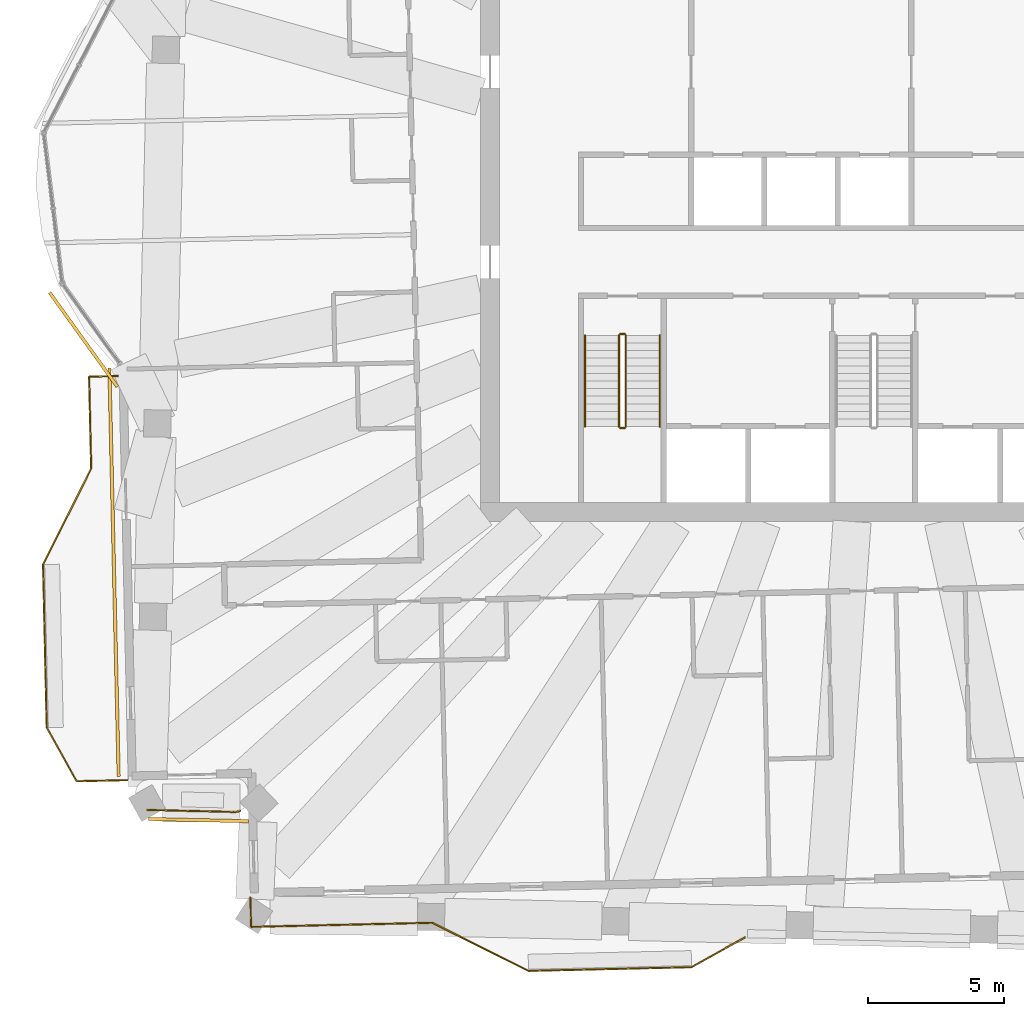
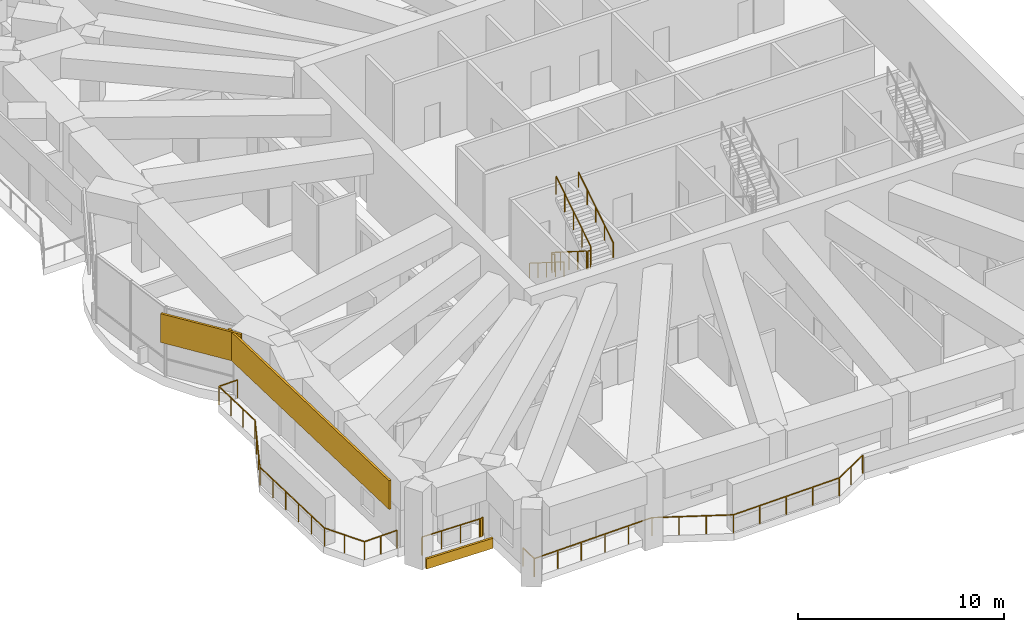
# One storey, part 18 of 21: 9 railings, 3 coverings.
"""IFC4 building model written with IfcOpenShell, lengths in metres."""

from ifc_helpers import new_model, si_unit, direction, frame, frame_2d, origin, origin_2d, place, context, subcontext, project, spatial, rectangle, circle, extrude, material, layer, layer_set, type_object, element, save


model = new_model("IFC4")

# Units and contexts
model_context = context("Model", 3, precision=1e-05, world=origin(), true_north=direction((0.0, 1.0)))
body_context = subcontext(model_context, "Body", "Model", "MODEL_VIEW")
ifc_project = project(units=[si_unit("LENGTHUNIT", "METRE"), si_unit("AREAUNIT", "SQUARE_METRE"), si_unit("VOLUMEUNIT", "CUBIC_METRE"), si_unit("PLANEANGLEUNIT", "RADIAN"), si_unit("MASSUNIT", "GRAM", prefix="KILO")], contexts=[model_context])

# Site, building, storey
site_placement = place(None, origin())
site = spatial("IfcSite", under=ifc_project, at=site_placement, CompositionType="ELEMENT")
building_placement = place(site_placement, origin())
building = spatial("IfcBuilding", under=site, at=building_placement, Name="Mangrove Gate Tower", CompositionType="ELEMENT")
storey_placement = place(building_placement, frame((0.0, 0.0, 275.300048828125)))
storey = spatial("IfcBuildingStorey", under=building, at=storey_placement, Name="L70", CompositionType="ELEMENT", Elevation=275.300048828125)

# Railings
ifc_material_1 = material(Name="Stainless steel grade 316 with laminated glass infill", Category="steel")
railing_type_1 = type_object("IfcRailingType", Name="Balcony guard 1100", PredefinedType="GUARDRAIL", material=ifc_material_1)
railing_1_placement = place(storey_placement, frame((-27.839111328125, -6.14501953125, 0.0)))
element("IfcRailing", 1, at=railing_1_placement, inside=storey, type_object=railing_type_1, Name="GUARD L70 W2", PredefinedType="GUARDRAIL", context=body_context, shape_type="SweptSolid", body=[
    extrude(rectangle(XDim=0.048095703125, YDim=0.048095703125, at=origin_2d()), frame((0.0, 0.0, 1.076171875), z_axis=(-0.999744802133, -0.022590498181, 0.0), x_axis=(0.022590498181, -0.999744802133, 0.0)), (0.0, 0.0, 1.0), 1.05908203125),
    extrude(rectangle(XDim=0.048095703125, YDim=0.048095703125, at=origin_2d()), frame((-1.058837890625, -0.02392578125, 1.076171875), z_axis=(0.022497922048, -0.999746889719, 0.0), x_axis=(0.999746889719, 0.022497922048, 0.0)), (0.0, 0.0, 1.0), 3.374755859375),
    extrude(rectangle(XDim=0.048095703125, YDim=0.048095703125, at=origin_2d()), frame((-0.98291015625, -3.39794921875, 1.076171875), z_axis=(-0.447114919141, -0.894476522376, 0.0), x_axis=(0.894476522376, -0.447114919141, 0.0)), (0.0, 0.0, 1.0), 3.958740234375),
    extrude(rectangle(XDim=0.048095703125, YDim=0.048095703125, at=origin_2d()), frame((-2.7529296875, -6.93896484375, 1.076171875), z_axis=(0.022662255828, -0.999743178102, 0.0), x_axis=(0.999743178102, 0.022662255828, 0.0)), (0.0, 0.0, 1.0), 6.00048828125),
    extrude(rectangle(XDim=0.048095703125, YDim=0.048095703125, at=origin_2d()), frame((-2.616943359375, -12.93798828125, 1.076171875), z_axis=(0.487255140858, -0.873259656521, 0.0), x_axis=(0.873259656521, 0.487255140858, 0.0)), (0.0, 0.0, 1.0), 2.26171875),
    extrude(rectangle(XDim=0.048095703125, YDim=0.048095703125, at=origin_2d()), frame((-1.514892578125, -14.9130859375, 1.076171875), z_axis=(0.999743329406, 0.02265558006, 0.0), x_axis=(-0.02265558006, 0.999743329406, 0.0)), (0.0, 0.0, 1.0), 1.853515625),
    extrude(rectangle(XDim=0.0419921875, YDim=0.0419921875, at=origin_2d()), origin(), (0.0, 0.0, 1.0), 1.052001953125),
    extrude(rectangle(XDim=0.0419921875, YDim=0.0419921875, at=origin_2d()), frame((-1.058837890625, -0.02392578125, 0.0)), (0.0, 0.0, 1.0), 1.052001953125),
    extrude(rectangle(XDim=0.0419921875, YDim=0.0419921875, at=origin_2d()), frame((-1.033447265625, -1.148681640625, 0.0)), (0.0, 0.0, 1.0), 1.052001953125),
    extrude(rectangle(XDim=0.0419921875, YDim=0.0419921875, at=origin_2d()), frame((-1.00830078125, -2.273193359375, 0.0)), (0.0, 0.0, 1.0), 1.052001953125),
    extrude(rectangle(XDim=0.0419921875, YDim=0.0419921875, at=origin_2d()), frame((-0.98291015625, -3.39794921875, 0.0)), (0.0, 0.0, 1.0), 1.052001953125),
    extrude(rectangle(XDim=0.0419921875, YDim=0.0419921875, at=origin_2d()), frame((-1.572998046875, -4.578369140625, 0.0)), (0.0, 0.0, 1.0), 1.052001953125),
    extrude(rectangle(XDim=0.0419921875, YDim=0.0419921875, at=origin_2d()), frame((-2.162841796875, -5.758544921875, 0.0)), (0.0, 0.0, 1.0), 1.052001953125),
    extrude(rectangle(XDim=0.0419921875, YDim=0.0419921875, at=origin_2d()), frame((-2.7529296875, -6.93896484375, 0.0)), (0.0, 0.0, 1.0), 1.052001953125),
    extrude(rectangle(XDim=0.0419921875, YDim=0.0419921875, at=origin_2d()), frame((-2.725830078125, -8.138671875, 0.0)), (0.0, 0.0, 1.0), 1.052001953125),
    extrude(rectangle(XDim=0.0419921875, YDim=0.0419921875, at=origin_2d()), frame((-2.698486328125, -9.338623046875, 0.0)), (0.0, 0.0, 1.0), 1.052001953125),
    extrude(rectangle(XDim=0.0419921875, YDim=0.0419921875, at=origin_2d()), frame((-2.67138671875, -10.538330078125, 0.0)), (0.0, 0.0, 1.0), 1.052001953125),
    extrude(rectangle(XDim=0.0419921875, YDim=0.0419921875, at=origin_2d()), frame((-2.64404296875, -11.73828125, 0.0)), (0.0, 0.0, 1.0), 1.052001953125),
    extrude(rectangle(XDim=0.0419921875, YDim=0.0419921875, at=origin_2d()), frame((-2.616943359375, -12.93798828125, 0.0)), (0.0, 0.0, 1.0), 1.052001953125),
    extrude(rectangle(XDim=0.0419921875, YDim=0.0419921875, at=origin_2d()), frame((-2.06591796875, -13.925537109375, 0.0)), (0.0, 0.0, 1.0), 1.052001953125),
    extrude(rectangle(XDim=0.0419921875, YDim=0.0419921875, at=origin_2d()), frame((-1.514892578125, -14.9130859375, 0.0)), (0.0, 0.0, 1.0), 1.052001953125),
    extrude(rectangle(XDim=0.0419921875, YDim=0.0419921875, at=origin_2d()), frame((-0.58837890625, -14.89208984375, 0.0)), (0.0, 0.0, 1.0), 1.052001953125),
    extrude(rectangle(XDim=0.0419921875, YDim=0.0419921875, at=origin_2d()), frame((0.338134765625, -14.87109375, 0.0)), (0.0, 0.0, 1.0), 1.052001953125),
])
railing_2_placement = place(storey_placement, frame((-22.9619140625, -25.35400390625, 0.0)))
element("IfcRailing", 2, at=railing_2_placement, inside=storey, type_object=railing_type_1, Name="GUARD L70 S1", PredefinedType="GUARDRAIL", context=body_context, shape_type="SweptSolid", body=[
    extrude(rectangle(XDim=0.048095703125, YDim=0.048095703125, at=origin_2d()), frame((0.0, 0.0, 1.076171875), z_axis=(0.022564497502, -0.999745389313, 0.0), x_axis=(0.999745389313, 0.022564497502, 0.0)), (0.0, 0.0, 1.0), 1.060302734375),
    extrude(rectangle(XDim=0.048095703125, YDim=0.048095703125, at=origin_2d()), frame((0.02392578125, -1.06005859375, 1.076171875), z_axis=(0.999743194574, 0.022661529129, 0.0), x_axis=(-0.022661529129, 0.999743194574, 0.0)), (0.0, 0.0, 1.0), 6.668701171875),
    extrude(rectangle(XDim=0.048095703125, YDim=0.048095703125, at=origin_2d()), frame((6.69091796875, -0.908935546875, 1.076171875), z_axis=(0.894476522376, -0.447114919141, 0.0), x_axis=(0.447114919141, 0.894476522376, 0.0)), (0.0, 0.0, 1.0), 3.958740234375),
    extrude(rectangle(XDim=0.048095703125, YDim=0.048095703125, at=origin_2d()), frame((10.23193359375, -2.678955078125, 1.076171875), z_axis=(0.999743094499, 0.022665943652, 0.0), x_axis=(-0.022665943652, 0.999743094499, 0.0)), (0.0, 0.0, 1.0), 5.99951171875),
    extrude(rectangle(XDim=0.048095703125, YDim=0.048095703125, at=origin_2d()), frame((16.22998046875, -2.54296875, 1.076171875), z_axis=(0.873198781314, 0.487364225514, 0.0), x_axis=(-0.487364225514, 0.873198781314, 0.0)), (0.0, 0.0, 1.0), 2.23876953125),
    extrude(rectangle(XDim=0.0419921875, YDim=0.0419921875, at=origin_2d()), origin(), (0.0, 0.0, 1.0), 1.052001953125),
    extrude(rectangle(XDim=0.0419921875, YDim=0.0419921875, at=origin_2d()), frame((0.02392578125, -1.06005859375, 0.0)), (0.0, 0.0, 1.0), 1.052001953125),
    extrude(rectangle(XDim=0.0419921875, YDim=0.0419921875, at=origin_2d()), frame((1.357421875, -1.02978515625, 0.0)), (0.0, 0.0, 1.0), 1.052001953125),
    extrude(rectangle(XDim=0.0419921875, YDim=0.0419921875, at=origin_2d()), frame((2.690673828125, -0.99951171875, 0.0)), (0.0, 0.0, 1.0), 1.052001953125),
    extrude(rectangle(XDim=0.0419921875, YDim=0.0419921875, at=origin_2d()), frame((4.024169921875, -0.969482421875, 0.0)), (0.0, 0.0, 1.0), 1.052001953125),
    extrude(rectangle(XDim=0.0419921875, YDim=0.0419921875, at=origin_2d()), frame((5.357421875, -0.939208984375, 0.0)), (0.0, 0.0, 1.0), 1.052001953125),
    extrude(rectangle(XDim=0.0419921875, YDim=0.0419921875, at=origin_2d()), frame((6.69091796875, -0.908935546875, 0.0)), (0.0, 0.0, 1.0), 1.052001953125),
    extrude(rectangle(XDim=0.0419921875, YDim=0.0419921875, at=origin_2d()), frame((7.871337890625, -1.4990234375, 0.0)), (0.0, 0.0, 1.0), 1.052001953125),
    extrude(rectangle(XDim=0.0419921875, YDim=0.0419921875, at=origin_2d()), frame((9.051513671875, -2.0888671875, 0.0)), (0.0, 0.0, 1.0), 1.052001953125),
    extrude(rectangle(XDim=0.0419921875, YDim=0.0419921875, at=origin_2d()), frame((10.23193359375, -2.678955078125, 0.0)), (0.0, 0.0, 1.0), 1.052001953125),
    extrude(rectangle(XDim=0.0419921875, YDim=0.0419921875, at=origin_2d()), frame((11.7314453125, -2.64501953125, 0.0)), (0.0, 0.0, 1.0), 1.052001953125),
    extrude(rectangle(XDim=0.0419921875, YDim=0.0419921875, at=origin_2d()), frame((13.23095703125, -2.61083984375, 0.0)), (0.0, 0.0, 1.0), 1.052001953125),
    extrude(rectangle(XDim=0.0419921875, YDim=0.0419921875, at=origin_2d()), frame((14.73046875, -2.576904296875, 0.0)), (0.0, 0.0, 1.0), 1.052001953125),
    extrude(rectangle(XDim=0.0419921875, YDim=0.0419921875, at=origin_2d()), frame((16.22998046875, -2.54296875, 0.0)), (0.0, 0.0, 1.0), 1.052001953125),
    extrude(rectangle(XDim=0.0419921875, YDim=0.0419921875, at=origin_2d()), frame((17.20751953125, -1.99755859375, 0.0)), (0.0, 0.0, 1.0), 1.052001953125),
    extrude(rectangle(XDim=0.0419921875, YDim=0.0419921875, at=origin_2d()), frame((18.184814453125, -1.451904296875, 0.0)), (0.0, 0.0, 1.0), 1.052001953125),
])
railing_3_placement = place(storey_placement, frame((-23.339111328125, -22.138916015625, 0.0)))
element("IfcRailing", 3, at=railing_3_placement, inside=storey, type_object=railing_type_1, Name="GUARD L70 T4.1", PredefinedType="GUARDRAIL", context=body_context, shape_type="SweptSolid", body=[
    extrude(rectangle(XDim=0.048095703125, YDim=0.048095703125, at=origin_2d()), frame((0.0, 0.0, 1.076171875), z_axis=(-0.892213342961, -0.451614161252, 0.0), x_axis=(0.451614161252, -0.892213342961, 0.0)), (0.0, 0.0, 1.0), 0.022216796875),
    extrude(rectangle(XDim=0.048095703125, YDim=0.048095703125, at=origin_2d()), frame((-0.019775390625, -0.010009765625, 1.076171875), z_axis=(-0.948200878903, -0.317671360445, 0.0), x_axis=(0.317671360445, -0.948200878903, 0.0)), (0.0, 0.0, 1.0), 0.05078125),
    extrude(rectangle(XDim=0.048095703125, YDim=0.048095703125, at=origin_2d()), frame((-0.06787109375, -0.026123046875, 1.076171875), z_axis=(-0.971547472049, -0.236844906121, 0.0), x_axis=(0.236844906121, -0.971547472049, 0.0)), (0.0, 0.0, 1.0), 0.050537109375),
    extrude(rectangle(XDim=0.048095703125, YDim=0.048095703125, at=origin_2d()), frame((-0.116943359375, -0.0380859375, 1.076171875), z_axis=(-0.992645877551, -0.121054375311, 0.0), x_axis=(0.121054375311, -0.992645877551, 0.0)), (0.0, 0.0, 1.0), 0.050537109375),
    extrude(rectangle(XDim=0.048095703125, YDim=0.048095703125, at=origin_2d()), frame((-0.1669921875, -0.044189453125, 1.076171875), z_axis=(-0.999231950732, -0.039185566695, 0.0), x_axis=(0.039185566695, -0.999231950732, 0.0)), (0.0, 0.0, 1.0), 0.0498046875),
    extrude(rectangle(XDim=0.048095703125, YDim=0.048095703125, at=origin_2d()), frame((-0.216796875, -0.046142578125, 1.076171875), z_axis=(-0.999739069848, 0.022842771714, 0.0), x_axis=(-0.022842771714, -0.999739069848, 0.0)), (0.0, 0.0, 1.0), 3.15283203125),
    extrude(rectangle(XDim=0.048095703125, YDim=0.048095703125, at=origin_2d()), frame((-3.368896484375, 0.02587890625, 1.076171875), z_axis=(-0.998149907196, 0.060801009575, 0.0), x_axis=(-0.060801009575, -0.998149907196, 0.0)), (0.0, 0.0, 1.0), 0.048095703125),
    extrude(rectangle(XDim=0.0419921875, YDim=0.0419921875, at=origin_2d()), origin(), (0.0, 0.0, 1.0), 1.052001953125),
    extrude(rectangle(XDim=0.0419921875, YDim=0.0419921875, at=origin_2d()), frame((-0.019775390625, -0.010009765625, 0.0)), (0.0, 0.0, 1.0), 1.052001953125),
    extrude(rectangle(XDim=0.0419921875, YDim=0.0419921875, at=origin_2d()), frame((-0.06787109375, -0.026123046875, 0.0)), (0.0, 0.0, 1.0), 1.052001953125),
    extrude(rectangle(XDim=0.0419921875, YDim=0.0419921875, at=origin_2d()), frame((-0.116943359375, -0.0380859375, 0.0)), (0.0, 0.0, 1.0), 1.052001953125),
    extrude(rectangle(XDim=0.0419921875, YDim=0.0419921875, at=origin_2d()), frame((-0.1669921875, -0.044189453125, 0.0)), (0.0, 0.0, 1.0), 1.052001953125),
    extrude(rectangle(XDim=0.0419921875, YDim=0.0419921875, at=origin_2d()), frame((-0.216796875, -0.046142578125, 0.0)), (0.0, 0.0, 1.0), 1.052001953125),
    extrude(rectangle(XDim=0.0419921875, YDim=0.0419921875, at=origin_2d()), frame((-1.267578125, -0.022216796875, 0.0)), (0.0, 0.0, 1.0), 1.052001953125),
    extrude(rectangle(XDim=0.0419921875, YDim=0.0419921875, at=origin_2d()), frame((-2.318115234375, 0.001953125, 0.0)), (0.0, 0.0, 1.0), 1.052001953125),
    extrude(rectangle(XDim=0.0419921875, YDim=0.0419921875, at=origin_2d()), frame((-3.368896484375, 0.02587890625, 0.0)), (0.0, 0.0, 1.0), 1.052001953125),
    extrude(rectangle(XDim=0.0419921875, YDim=0.0419921875, at=origin_2d()), frame((-3.4169921875, 0.02880859375, 0.0)), (0.0, 0.0, 1.0), 1.052001953125),
])
ifc_material_2 = material(Name="Stainless steel 316", Category="steel")
railing_type_2 = type_object("IfcRailingType", Name="Core stair guard 1100", PredefinedType="GUARDRAIL", material=ifc_material_2)
railing_4_placement = place(storey_placement, frame((-9.39990234375, -4.64990234375, 0.1767578125)))
element("IfcRailing", 4, at=railing_4_placement, inside=storey, type_object=railing_type_2, Name="L70 ST1 stair guard 1", PredefinedType="GUARDRAIL", context=body_context, shape_type="SweptSolid", body=[
    extrude(rectangle(XDim=0.048095703125, YDim=0.048095703125, at=origin_2d()), frame((0.0, 0.0, 1.076171875), z_axis=(0.0, -0.845361898145, 0.534194029511), x_axis=(1.0, 0.0, 0.0)), (0.0, 0.0, 1.0), 3.974853515625),
    extrude(rectangle(XDim=0.0419921875, YDim=0.0419921875, at=origin_2d()), origin(), (0.0, 0.0, 1.0), 1.052001953125),
    extrude(rectangle(XDim=0.0419921875, YDim=0.0419921875, at=origin_2d()), frame((0.0, -0.840087890625, 0.53076171875)), (0.0, 0.0, 1.0), 1.052001953125),
    extrude(rectangle(XDim=0.0419921875, YDim=0.0419921875, at=origin_2d()), frame((0.0, -1.68017578125, 1.0615234375)), (0.0, 0.0, 1.0), 1.052001953125),
    extrude(rectangle(XDim=0.0419921875, YDim=0.0419921875, at=origin_2d()), frame((0.0, -2.52001953125, 1.592529296875)), (0.0, 0.0, 1.0), 1.052001953125),
    extrude(rectangle(XDim=0.0419921875, YDim=0.0419921875, at=origin_2d()), frame((0.0, -3.360107421875, 2.123291015625)), (0.0, 0.0, 1.0), 1.052001953125),
])
railing_5_placement = place(storey_placement, frame((-9.35009765625, -8.06005859375, 2.300048828125)))
element("IfcRailing", 5, at=railing_5_placement, inside=storey, type_object=railing_type_2, Name="L70 ST1 stair guard 2", PredefinedType="GUARDRAIL", context=body_context, shape_type="SweptSolid", body=[
    extrude(rectangle(XDim=0.048095703125, YDim=0.048095703125, at=origin_2d()), frame((0.0, 0.0, 1.076171875), z_axis=(1.0, 0.0, 0.0), x_axis=(0.0, 1.0, 0.0)), (0.0, 0.0, 1.0), 0.150146484375),
    extrude(rectangle(XDim=0.0419921875, YDim=0.0419921875, at=origin_2d()), origin(), (0.0, 0.0, 1.0), 1.052001953125),
    extrude(rectangle(XDim=0.0419921875, YDim=0.0419921875, at=origin_2d()), frame((0.150146484375, 0.0, 0.0)), (0.0, 0.0, 1.0), 1.052001953125),
])
railing_6_placement = place(storey_placement, frame((-9.14990234375, -8.010009765625, 2.476806640625)))
element("IfcRailing", 6, at=railing_6_placement, inside=storey, type_object=railing_type_2, Name="L70 ST1 stair guard 3", PredefinedType="GUARDRAIL", context=body_context, shape_type="SweptSolid", body=[
    extrude(rectangle(XDim=0.048095703125, YDim=0.048095703125, at=origin_2d()), frame((0.0, 0.0, 1.076171875), z_axis=(0.0, 0.845389635667, 0.534150132366), x_axis=(-1.0, 0.0, 0.0)), (0.0, 0.0, 1.0), 3.974609375),
    extrude(rectangle(XDim=0.0419921875, YDim=0.0419921875, at=origin_2d()), origin(), (0.0, 0.0, 1.0), 1.052001953125),
    extrude(rectangle(XDim=0.0419921875, YDim=0.0419921875, at=origin_2d()), frame((0.0, 0.840087890625, 0.53076171875)), (0.0, 0.0, 1.0), 1.052001953125),
    extrude(rectangle(XDim=0.0419921875, YDim=0.0419921875, at=origin_2d()), frame((0.0, 1.68017578125, 1.0615234375)), (0.0, 0.0, 1.0), 1.052001953125),
    extrude(rectangle(XDim=0.0419921875, YDim=0.0419921875, at=origin_2d()), frame((0.0, 2.52001953125, 1.59228515625)), (0.0, 0.0, 1.0), 1.052001953125),
    extrude(rectangle(XDim=0.0419921875, YDim=0.0419921875, at=origin_2d()), frame((0.0, 3.360107421875, 2.123046875)), (0.0, 0.0, 1.0), 1.052001953125),
])
railing_7_placement = place(storey_placement, frame((-9.35009765625, -4.60009765625, 0.0)))
element("IfcRailing", 7, at=railing_7_placement, inside=storey, type_object=railing_type_2, Name="L70 ST1 stair guard 4", PredefinedType="GUARDRAIL", context=body_context, shape_type="SweptSolid", body=[
    extrude(rectangle(XDim=0.048095703125, YDim=0.048095703125, at=origin_2d()), frame((0.0, 0.0, 1.076171875), z_axis=(1.0, 0.0, 0.0), x_axis=(0.0, 1.0, 0.0)), (0.0, 0.0, 1.0), 0.150146484375),
    extrude(rectangle(XDim=0.0419921875, YDim=0.0419921875, at=origin_2d()), origin(), (0.0, 0.0, 1.0), 1.052001953125),
    extrude(rectangle(XDim=0.0419921875, YDim=0.0419921875, at=origin_2d()), frame((0.150146484375, 0.0, 0.0)), (0.0, 0.0, 1.0), 1.052001953125),
])
ifc_material_3 = material(Name="Stainless steel 316", Category="steel")
railing_type_3 = type_object("IfcRailingType", Name="Core stair handrail 900", PredefinedType="HANDRAIL", material=ifc_material_3)
railing_8_placement = place(storey_placement, frame((-10.64990234375, -4.64990234375, 0.1767578125)))
element("IfcRailing", 8, at=railing_8_placement, inside=storey, type_object=railing_type_3, Name="L70 ST1 stair handrail 1", PredefinedType="HANDRAIL", context=body_context, shape_type="SweptSolid", body=[
    extrude(circle(Radius=0.02392578125, at=origin_2d()), frame((0.0, 0.0, 0.8759765625), z_axis=(0.0, -0.845361898145, 0.534194029511), x_axis=(1.0, 0.0, 0.0)), (0.0, 0.0, 1.0), 3.974853515625),
    extrude(circle(Radius=0.02099609375, at=origin_2d()), origin(), (0.0, 0.0, 1.0), 0.851806640625),
    extrude(circle(Radius=0.02099609375, at=origin_2d()), frame((0.0, -0.840087890625, 0.53076171875)), (0.0, 0.0, 1.0), 0.851806640625),
    extrude(circle(Radius=0.02099609375, at=origin_2d()), frame((0.0, -1.68017578125, 1.0615234375)), (0.0, 0.0, 1.0), 0.851806640625),
    extrude(circle(Radius=0.02099609375, at=origin_2d()), frame((0.0, -2.52001953125, 1.592529296875)), (0.0, 0.0, 1.0), 0.851806640625),
    extrude(circle(Radius=0.02099609375, at=origin_2d()), frame((0.0, -3.360107421875, 2.123291015625)), (0.0, 0.0, 1.0), 0.851806640625),
])
railing_9_placement = place(storey_placement, frame((-7.89990234375, -8.010009765625, 2.476806640625)))
element("IfcRailing", 9, at=railing_9_placement, inside=storey, type_object=railing_type_3, Name="L70 ST1 stair handrail 2", PredefinedType="HANDRAIL", context=body_context, shape_type="SweptSolid", body=[
    extrude(circle(Radius=0.02392578125, at=origin_2d()), frame((0.0, 0.0, 0.8759765625), z_axis=(0.0, 0.845389635667, 0.534150132366), x_axis=(-1.0, 0.0, 0.0)), (0.0, 0.0, 1.0), 3.974609375),
    extrude(circle(Radius=0.02099609375, at=origin_2d()), origin(), (0.0, 0.0, 1.0), 0.851806640625),
    extrude(circle(Radius=0.02099609375, at=origin_2d()), frame((0.0, 0.840087890625, 0.53076171875)), (0.0, 0.0, 1.0), 0.851806640625),
    extrude(circle(Radius=0.02099609375, at=origin_2d()), frame((0.0, 1.68017578125, 1.0615234375)), (0.0, 0.0, 1.0), 0.851806640625),
    extrude(circle(Radius=0.02099609375, at=origin_2d()), frame((0.0, 2.52001953125, 1.59228515625)), (0.0, 0.0, 1.0), 0.851806640625),
    extrude(circle(Radius=0.02099609375, at=origin_2d()), frame((0.0, 3.360107421875, 2.123046875)), (0.0, 0.0, 1.0), 0.851806640625),
])

# Coverings
ifc_material_4 = material(Name="Limestone", Category="masonry")
ifc_layer_1 = layer(ifc_material_4, 0.0400390625, Name="Limestone cladding")
ifc_material_5 = material(Name="Stainless steel anchors and cavity", Category="steel")
ifc_layer_2 = layer(ifc_material_5, 0.080078125, Name="Fixing cavity")
ifc_layer_set = layer_set([ifc_layer_1, ifc_layer_2], Name="Joint fascia cladding 120")
covering_type = type_object("IfcCoveringType", Name="Joint fascia cladding 120", PredefinedType="CLADDING", material=ifc_layer_set)
covering_1_placement = place(storey_placement, frame((-30.35107421875, -3.073974609375, 2.349853515625), z_axis=(0.0, 0.0, 1.0), x_axis=(0.583674927178, -0.811987425632, 0.0)))
element("IfcCovering", 10, at=covering_1_placement, inside=storey, type_object=covering_type, Name="STONE FASCIA L70 W9.L2", PredefinedType="CLADDING", context=body_context, shape_type="SweptSolid", body=[
    extrude(rectangle(XDim=4.269775390625, YDim=0.1201171875, at=frame_2d((2.134765625, 0.0))), origin(), (0.0, 0.0, 1.0), 1.7001953125),
])
covering_2_placement = place(storey_placement, frame((-28.15087890625, -5.847900390625, 2.349853515625), z_axis=(0.0, 0.0, 1.0), x_axis=(0.022677493692, -0.999742832572, 0.0)))
element("IfcCovering", 11, at=covering_2_placement, inside=storey, type_object=covering_type, Name="STONE FASCIA L70 W10.1", PredefinedType="CLADDING", context=body_context, shape_type="SweptSolid", body=[
    extrude(rectangle(XDim=15.029052734375, YDim=0.1201171875, at=frame_2d((7.5146484375, 0.0))), origin(), (0.0, 0.0, 1.0), 1.7001953125),
])
covering_3_placement = place(storey_placement, frame((-23.028564453125, -22.5283203125, -0.60009765625), z_axis=(0.0, 0.0, 1.0), x_axis=(-0.999739093854, 0.022841721019, 0.0)))
element("IfcCovering", 12, at=covering_3_placement, inside=storey, type_object=covering_type, Name="STONE FASCIA L70 TB94-1.1", PredefinedType="CLADDING", context=body_context, shape_type="SweptSolid", body=[
    extrude(rectangle(XDim=3.6875, YDim=0.1201171875, at=frame_2d((1.84375, 0.0))), origin(), (0.0, 0.0, 1.0), 0.60009765625),
])

save(model, "model.ifc")
